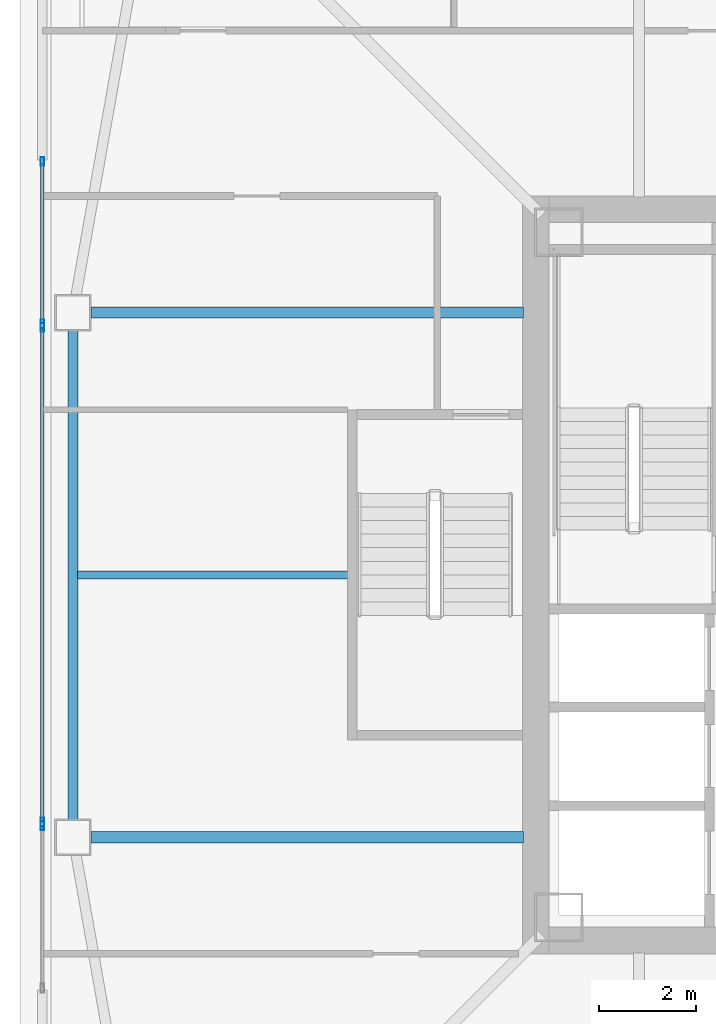
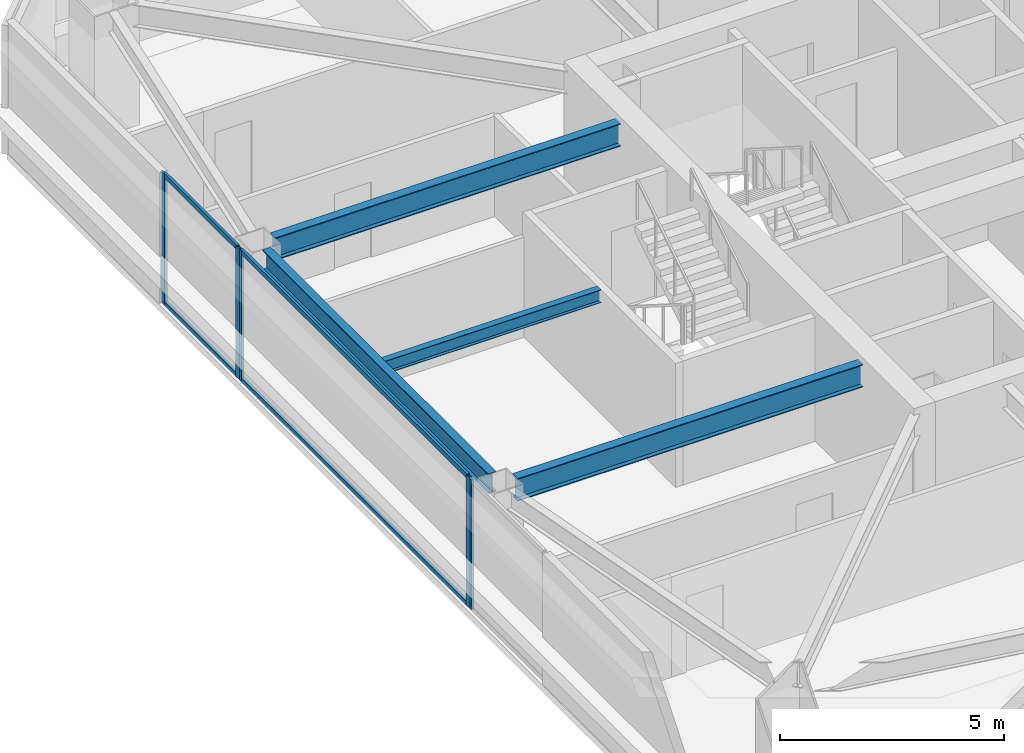
# One storey, part 8 of 42: 9 members, 4 beams, 3 elements without a shape of their own.
"""IFC4 building model written with IfcOpenShell, lengths in metres."""

from ifc_helpers import new_model, si_unit, direction, frame, origin, origin_2d, place, context, subcontext, project, spatial, hollow_rectangle, i_section, extrude, material, material_profile, profile_set, type_object, element, aggregate, save


model = new_model("IFC4")

# Units and contexts
model_context = context("Model", 3, precision=1e-05, world=origin(), true_north=direction((0.0, 1.0)))
body_context = subcontext(model_context, "Body", "Model", "MODEL_VIEW")
ifc_project = project(units=[si_unit("LENGTHUNIT", "METRE"), si_unit("AREAUNIT", "SQUARE_METRE"), si_unit("VOLUMEUNIT", "CUBIC_METRE"), si_unit("PLANEANGLEUNIT", "RADIAN"), si_unit("MASSUNIT", "GRAM", prefix="KILO")], contexts=[model_context])

# Site, building, storey
site_placement = place(None, origin())
site = spatial("IfcSite", under=ifc_project, at=site_placement, CompositionType="ELEMENT")
building_placement = place(site_placement, origin())
building = spatial("IfcBuilding", under=site, at=building_placement, Name="Tashvorn Skyway Center", CompositionType="ELEMENT")
storey_placement = place(building_placement, frame((0.0, 0.0, 164.10009765625)))
storey = spatial("IfcBuildingStorey", under=building, at=storey_placement, Name="L44", CompositionType="ELEMENT", Elevation=164.10009765625)

# Beams
ifc_material_1 = material(Name="Steel ASTM A992 Grade 50", Category="steel")
ifc_material_profile_1 = material_profile(ifc_material_1, i_section(OverallWidth=0.22998046875, OverallDepth=0.616943359375, WebThickness=0.01318359375, FlangeThickness=0.022216796875, at=origin_2d()), Name="W24X94")
ifc_profile_set_1 = profile_set([ifc_material_profile_1], Name="Steel ASTM A992 Grade 50")
beam_type_1 = type_object("IfcBeamType", Name="BM-BEAM-W24X94", PredefinedType="BEAM", material=ifc_profile_set_1)
for number, where, z_axis, x_axis, name in (
    (1, (25.320068359375, 37.39990234375, 3.0615234375), (1.0, 0.0, 0.0), (0.0, 1.0, 0.0), "Tower 1 L44 Primary Floor Girder FC-W1"),
    (2, (25.320068359375, 26.60009765625, 3.0615234375), (1.0, 0.0, 0.0), (0.0, 1.0, 0.0), "Tower 1 L44 Primary Floor Girder FC-W2"),
):
    element("IfcBeam", number, at=place(storey_placement, frame(where, z_axis=z_axis, x_axis=x_axis)), inside=storey, type_object=beam_type_1, Name=name, PredefinedType="BEAM", context=body_context, shape_type="SweptSolid", body=[
        extrude(i_section(OverallWidth=0.22998046875, OverallDepth=0.616943359375, WebThickness=0.01318359375, FlangeThickness=0.022216796875, at=origin_2d()), origin(), (0.0, 0.0, 1.0), 8.89990234375),
    ])
ifc_material_profile_2 = material_profile(ifc_material_1, i_section(OverallWidth=0.1708984375, OverallDepth=0.35498046875, WebThickness=0.007080078125, FlangeThickness=0.01171875, at=origin_2d()), Name="W14X34")
ifc_profile_set_2 = profile_set([ifc_material_profile_2], Name="Steel ASTM A992 Grade 50")
beam_type_2 = type_object("IfcBeamType", Name="BM-JOIST-W14X34", PredefinedType="JOIST", material=ifc_profile_set_2)
beam_1_placement = place(storey_placement, frame((30.610107421875, 32.0, 3.1923828125), z_axis=(-1.0, 0.0, 0.0), x_axis=(0.0, -1.0, 0.0)))
element("IfcBeam", 3, at=beam_1_placement, inside=storey, type_object=beam_type_2, Name="Tower 1 L44 Secondary Composite Joist JW", PredefinedType="JOIST", context=body_context, shape_type="SweptSolid", body=[
    extrude(i_section(OverallWidth=0.1708984375, OverallDepth=0.35498046875, WebThickness=0.007080078125, FlangeThickness=0.01171875, at=origin_2d()), origin(), (0.0, 0.0, 1.0), 5.5625),
])
ifc_material_profile_3 = material_profile(ifc_material_1, i_section(OverallWidth=0.2109375, OverallDepth=0.5390625, WebThickness=0.01171875, FlangeThickness=0.018798828125, at=origin_2d()), Name="W21X73")
ifc_profile_set_3 = profile_set([ifc_material_profile_3], Name="Steel ASTM A992 Grade 50")
beam_type_3 = type_object("IfcBeamType", Name="BM-SPANDREL-W21X73", PredefinedType="SPANDREL", material=ifc_profile_set_3)
beam_2_placement = place(storey_placement, frame((24.949951171875, 37.030029296875, 3.100341796875), z_axis=(0.0, -1.0, 0.0), x_axis=(1.0, 0.0, 0.0)))
element("IfcBeam", 4, at=beam_2_placement, inside=storey, type_object=beam_type_3, Name="Tower 1 L44 Spandrel Beam 11", PredefinedType="SPANDREL", context=body_context, shape_type="SweptSolid", body=[
    extrude(i_section(OverallWidth=0.2109375, OverallDepth=0.5390625, WebThickness=0.01171875, FlangeThickness=0.018798828125, at=origin_2d()), origin(), (0.0, 0.0, 1.0), 10.06005859375),
])

# Curtain wall, member
ifc_material_2 = material(Name="Thermally broken bronze-anodized aluminium 6063-T6", Category="aluminium")
curtain_wall_type = type_object("IfcCurtainWallType", Name="CW-CW-Z4", PredefinedType="NOTDEFINED", material=ifc_material_2)
curtain_wall_1_placement = place(storey_placement, origin())
curtain_wall_1 = element("IfcCurtainWall", 5, at=curtain_wall_1_placement, inside=storey, type_object=curtain_wall_type, Name="Tower 1 L44 West Unitised Curtain Wall Glazing Group 1", PredefinedType="NOTDEFINED")
ifc_material_profile_4 = material_profile(ifc_material_2, hollow_rectangle(XDim=0.070068359375, YDim=0.179931640625, WallThickness=0.00390625, at=origin_2d()), Name="ALU-MULL-70x180")
ifc_profile_set_4 = profile_set([ifc_material_profile_4], Name="Thermally broken bronze-anodized aluminium 6063-T6")
member_type_1 = type_object("IfcMemberType", Name="CWM-CW-Z4", PredefinedType="MULLION", material=ifc_profile_set_4)
member_1_placement = place(storey_placement, frame((24.320068359375, 26.83837890625, 0.0), z_axis=(0.0, 0.0, 1.0), x_axis=(-1.0, 0.0, 0.0)))
member_1 = element("IfcMember", 6, at=member_1_placement, type_object=member_type_1, Name="CW-Z4 mullion 2", PredefinedType="MULLION", context=body_context, shape_type="SweptSolid", body=[
    extrude(hollow_rectangle(XDim=0.070068359375, YDim=0.179931640625, WallThickness=0.00390625, at=origin_2d()), origin(), (0.0, 0.0, 1.0), 3.5498046875),
])
aggregate(curtain_wall_1, [member_1])

# Curtain wall, members
curtain_wall_2_placement = place(storey_placement, origin())
curtain_wall_2 = element("IfcCurtainWall", 7, at=curtain_wall_2_placement, inside=storey, type_object=curtain_wall_type, Name="Tower 1 L44 West Unitised Curtain Wall Glazing Group 2", PredefinedType="NOTDEFINED")
member_2_placement = place(storey_placement, frame((24.320068359375, 26.908203125, 0.0), z_axis=(0.0, 0.0, 1.0), x_axis=(-1.0, 0.0, 0.0)))
member_2 = element("IfcMember", 8, at=member_2_placement, type_object=member_type_1, Name="CW-Z4 mullion 1", PredefinedType="MULLION", context=body_context, shape_type="SweptSolid", body=[
    extrude(hollow_rectangle(XDim=0.070068359375, YDim=0.179931640625, WallThickness=0.00390625, at=origin_2d()), origin(), (0.0, 0.0, 1.0), 3.5498046875),
])
member_3_placement = place(storey_placement, frame((24.320068359375, 37.091796875, 0.0), z_axis=(0.0, 0.0, 1.0), x_axis=(-1.0, 0.0, 0.0)))
member_3 = element("IfcMember", 9, at=member_3_placement, type_object=member_type_1, Name="CW-Z4 mullion 2", PredefinedType="MULLION", context=body_context, shape_type="SweptSolid", body=[
    extrude(hollow_rectangle(XDim=0.070068359375, YDim=0.179931640625, WallThickness=0.00390625, at=origin_2d()), origin(), (0.0, 0.0, 1.0), 3.5498046875),
])

curtain_wall_3_placement = place(storey_placement, origin())
curtain_wall_3 = element("IfcCurtainWall", 10, at=curtain_wall_3_placement, inside=storey, type_object=curtain_wall_type, Name="Tower 1 L44 West Unitised Curtain Wall Glazing Group 3", PredefinedType="NOTDEFINED")
member_4_placement = place(storey_placement, frame((24.320068359375, 37.16162109375, 0.0), z_axis=(0.0, 0.0, 1.0), x_axis=(-1.0, 0.0, 0.0)))
member_4 = element("IfcMember", 11, at=member_4_placement, type_object=member_type_1, Name="CW-Z4 mullion 1", PredefinedType="MULLION", context=body_context, shape_type="SweptSolid", body=[
    extrude(hollow_rectangle(XDim=0.070068359375, YDim=0.179931640625, WallThickness=0.00390625, at=origin_2d()), origin(), (0.0, 0.0, 1.0), 3.5498046875),
])
member_5_placement = place(storey_placement, frame((24.320068359375, 40.509521484375, 0.0), z_axis=(0.0, 0.0, 1.0), x_axis=(-1.0, 0.0, 0.0)))
member_5 = element("IfcMember", 12, at=member_5_placement, type_object=member_type_1, Name="CW-Z4 mullion 2", PredefinedType="MULLION", context=body_context, shape_type="SweptSolid", body=[
    extrude(hollow_rectangle(XDim=0.070068359375, YDim=0.179931640625, WallThickness=0.00390625, at=origin_2d()), origin(), (0.0, 0.0, 1.0), 3.5498046875),
])

# Member
ifc_material_profile_5 = material_profile(ifc_material_2, hollow_rectangle(XDim=0.070068359375, YDim=0.1298828125, WallThickness=0.00390625, at=origin_2d()), Name="ALU-TRAN-70x130")
ifc_profile_set_5 = profile_set([ifc_material_profile_5], Name="Thermally broken bronze-anodized aluminium 6063-T6")
member_type_2 = type_object("IfcMemberType", Name="CWT-CW-Z4", PredefinedType="USERDEFINED", material=ifc_profile_set_5)
member_6_placement = place(storey_placement, frame((24.320068359375, 26.943359375, 0.034912109375), z_axis=(0.0, 1.0, 0.0), x_axis=(-1.0, 0.0, 0.0)))
member_6 = element("IfcMember", 13, at=member_6_placement, type_object=member_type_2, Name="CW-Z4 transom 1.1", ObjectType="TRANSOM", PredefinedType="USERDEFINED", context=body_context, shape_type="SweptSolid", body=[
    extrude(hollow_rectangle(XDim=0.070068359375, YDim=0.1298828125, WallThickness=0.00390625, at=origin_2d()), origin(), (0.0, 0.0, 1.0), 10.11328125),
])

member_7_placement = place(storey_placement, frame((24.320068359375, 26.943359375, 3.514892578125), z_axis=(0.0, 1.0, 0.0), x_axis=(-1.0, 0.0, 0.0)))
member_7 = element("IfcMember", 14, at=member_7_placement, type_object=member_type_2, Name="CW-Z4 transom 1.2", ObjectType="TRANSOM", PredefinedType="USERDEFINED", context=body_context, shape_type="SweptSolid", body=[
    extrude(hollow_rectangle(XDim=0.070068359375, YDim=0.1298828125, WallThickness=0.00390625, at=origin_2d()), origin(), (0.0, 0.0, 1.0), 10.11328125),
])

aggregate(curtain_wall_2, [member_2, member_3, member_6, member_7])

member_8_placement = place(storey_placement, frame((24.320068359375, 37.19677734375, 0.034912109375), z_axis=(0.0, 1.0, 0.0), x_axis=(-1.0, 0.0, 0.0)))
member_8 = element("IfcMember", 15, at=member_8_placement, type_object=member_type_2, Name="CW-Z4 transom 1.1", ObjectType="TRANSOM", PredefinedType="USERDEFINED", context=body_context, shape_type="SweptSolid", body=[
    extrude(hollow_rectangle(XDim=0.070068359375, YDim=0.1298828125, WallThickness=0.00390625, at=origin_2d()), origin(), (0.0, 0.0, 1.0), 3.277587890625),
])

member_9_placement = place(storey_placement, frame((24.320068359375, 37.19677734375, 3.514892578125), z_axis=(0.0, 1.0, 0.0), x_axis=(-1.0, 0.0, 0.0)))
member_9 = element("IfcMember", 16, at=member_9_placement, type_object=member_type_2, Name="CW-Z4 transom 1.2", ObjectType="TRANSOM", PredefinedType="USERDEFINED", context=body_context, shape_type="SweptSolid", body=[
    extrude(hollow_rectangle(XDim=0.070068359375, YDim=0.1298828125, WallThickness=0.00390625, at=origin_2d()), origin(), (0.0, 0.0, 1.0), 3.277587890625),
])

aggregate(curtain_wall_3, [member_4, member_5, member_8, member_9])

save(model, "model.ifc")
